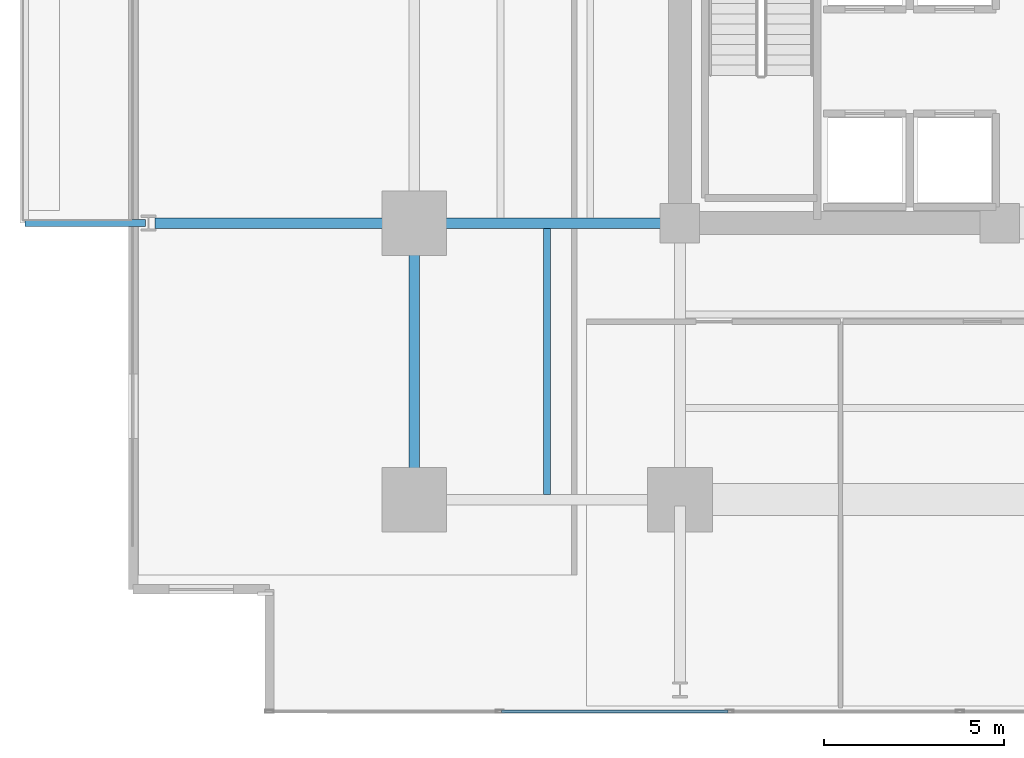
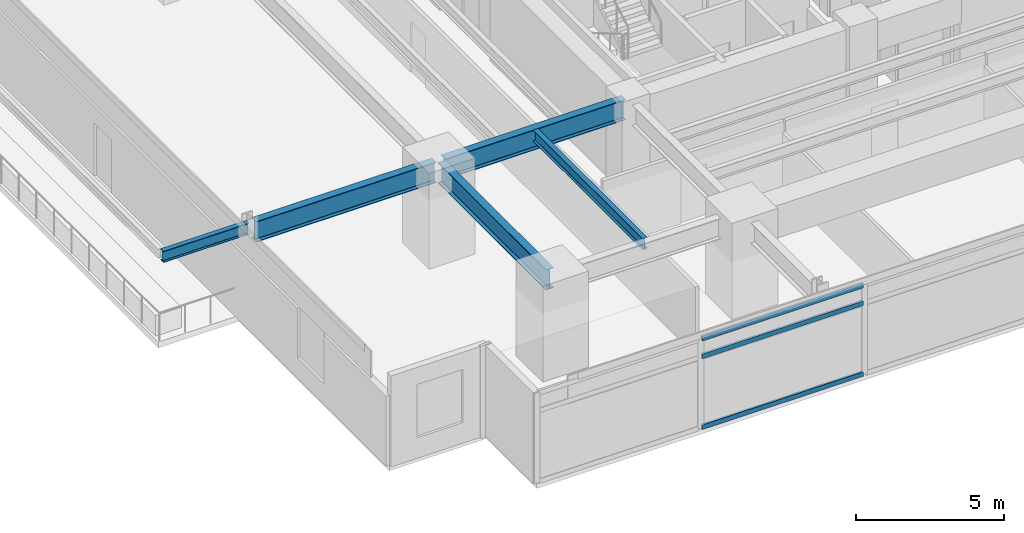
# One storey, part 3 of 22: 5 beams, 3 members, 1 element without a shape of its own.
"""IFC4 building model written with IfcOpenShell, lengths in metres."""

from ifc_helpers import new_model, si_unit, direction, frame, origin, origin_2d, place, context, subcontext, project, spatial, hollow_rectangle, i_section, extrude, material, material_profile, profile_set, type_object, element, aggregate, save


model = new_model("IFC4")

# Units and contexts
model_context = context("Model", 3, precision=1e-05, world=origin(), true_north=direction((0.0, 1.0)))
body_context = subcontext(model_context, "Body", "Model", "MODEL_VIEW")
ifc_project = project(units=[si_unit("LENGTHUNIT", "METRE"), si_unit("AREAUNIT", "SQUARE_METRE"), si_unit("VOLUMEUNIT", "CUBIC_METRE"), si_unit("PLANEANGLEUNIT", "RADIAN"), si_unit("MASSUNIT", "GRAM", prefix="KILO")], contexts=[model_context])

# Site, building, storey
site_placement = place(None, origin())
site = spatial("IfcSite", under=ifc_project, at=site_placement, CompositionType="ELEMENT")
building_placement = place(site_placement, origin())
building = spatial("IfcBuilding", under=site, at=building_placement, Name="Kovane Verandah Tower", CompositionType="ELEMENT")
storey_placement = place(building_placement, frame((0.0, 0.0, 79.60009765625)))
storey = spatial("IfcBuildingStorey", under=building, at=storey_placement, Name="L18", CompositionType="ELEMENT", Elevation=79.60009765625)

# Beams
ifc_material_1 = material(Name="Steel S355", Category="steel")
ifc_material_profile_1 = material_profile(ifc_material_1, i_section(OverallWidth=0.293701171875, OverallDepth=0.850830078125, WebThickness=0.01611328125, FlangeThickness=0.02685546875, FilletRadius=0.017822265625, at=origin_2d()), Name="UB838x292x226")
ifc_profile_set_1 = profile_set([ifc_material_profile_1], Name="Steel S355")
beam_type_1 = type_object("IfcBeamType", Name="BM-UB838x226", PredefinedType="BEAM", material=ifc_profile_set_1)
beam_1_placement = place(storey_placement, frame((21.60009765625, 10.97998046875, 3.33447265625), z_axis=(0.0, 1.0, 0.0), x_axis=(-1.0, 0.0, 0.0)))
element("IfcBeam", 1, at=beam_1_placement, inside=storey, type_object=beam_type_1, Name="L18 Primary Tower Girder G-RW1", PredefinedType="BEAM", context=body_context, shape_type="SweptSolid", body=[
    extrude(i_section(OverallWidth=0.293701171875, OverallDepth=0.850830078125, WebThickness=0.01611328125, FlangeThickness=0.02685546875, FilletRadius=0.017822265625, at=origin_2d()), origin(), (0.0, 0.0, 1.0), 7.340087890625),
])
for number, where, z_axis, x_axis, name in (
    (2, (28.820068359375, 18.5, 3.33447265625), (-1.0, 0.0, 0.0), (0.0, -1.0, 0.0), "L18 Primary Tower Girder G-W1"),
    (3, (21.419921875, 18.5, 3.33447265625), (-1.0, 0.0, 0.0), (0.0, -1.0, 0.0), "L18 Primary Tower Girder G-VW1"),
):
    element("IfcBeam", number, at=place(storey_placement, frame(where, z_axis=z_axis, x_axis=x_axis)), inside=storey, type_object=beam_type_1, Name=name, PredefinedType="BEAM", context=body_context, shape_type="SweptSolid", body=[
        extrude(i_section(OverallWidth=0.293701171875, OverallDepth=0.850830078125, WebThickness=0.01611328125, FlangeThickness=0.02685546875, FilletRadius=0.017822265625, at=origin_2d()), origin(), (0.0, 0.0, 1.0), 7.0400390625),
    ])

# Curtain wall, members
ifc_material_2 = material(Name="Champagne Anodised Aluminium Frame with Low-E Clear Laminated Glass", Category="aluminium")
curtain_wall_type = type_object("IfcCurtainWallType", Name="CW-SYS-02-LOW", PredefinedType="NOTDEFINED", material=ifc_material_2)
curtain_wall_placement = place(storey_placement, origin())
curtain_wall = element("IfcCurtainWall", 4, at=curtain_wall_placement, inside=storey, type_object=curtain_wall_type, Name="L18 S Unitised Curtain Wall", PredefinedType="NOTDEFINED")
ifc_material_3 = material(Name="Champagne Anodised Aluminium 6063-T6", Category="aluminium")
ifc_material_profile_2 = material_profile(ifc_material_3, hollow_rectangle(XDim=0.0849609375, YDim=0.18994140625, WallThickness=0.00390625, at=origin_2d()), Name="AL85x190x4")
ifc_profile_set_2 = profile_set([ifc_material_profile_2], Name="Champagne Anodised Aluminium 6063-T6")
member_type = type_object("IfcMemberType", Name="CW-TRN-85x190", PredefinedType="USERDEFINED", material=ifc_profile_set_2)
member_1_placement = place(storey_placement, frame((24.029541015625, 4.89990234375, 0.0498046875), z_axis=(1.0, 0.0, 0.0), x_axis=(0.0, 1.0, 0.0)))
member_1 = element("IfcMember", 5, at=member_1_placement, type_object=member_type, Name="L18 S Unitised Curtain Wall Transom TB Bay 2", ObjectType="TRANSOM", PredefinedType="USERDEFINED", context=body_context, shape_type="SweptSolid", body=[
    extrude(hollow_rectangle(XDim=0.0849609375, YDim=0.18994140625, WallThickness=0.00390625, at=origin_2d()), origin(), (0.0, 0.0, 1.0), 6.30810546875),
])
member_2_placement = place(storey_placement, frame((24.029541015625, 4.89990234375, 2.97998046875), z_axis=(1.0, 0.0, 0.0), x_axis=(0.0, 1.0, 0.0)))
member_2 = element("IfcMember", 6, at=member_2_placement, type_object=member_type, Name="L18 S Unitised Curtain Wall Transom TM Bay 2", ObjectType="TRANSOM", PredefinedType="USERDEFINED", context=body_context, shape_type="SweptSolid", body=[
    extrude(hollow_rectangle(XDim=0.0849609375, YDim=0.18994140625, WallThickness=0.00390625, at=origin_2d()), origin(), (0.0, 0.0, 1.0), 6.30810546875),
])
member_3_placement = place(storey_placement, frame((24.029541015625, 4.89990234375, 3.7099609375), z_axis=(1.0, 0.0, 0.0), x_axis=(0.0, 1.0, 0.0)))
member_3 = element("IfcMember", 7, at=member_3_placement, type_object=member_type, Name="L18 S Unitised Curtain Wall Transom TT Bay 2", ObjectType="TRANSOM", PredefinedType="USERDEFINED", context=body_context, shape_type="SweptSolid", body=[
    extrude(hollow_rectangle(XDim=0.0849609375, YDim=0.18994140625, WallThickness=0.00390625, at=origin_2d()), origin(), (0.0, 0.0, 1.0), 6.30810546875),
])
aggregate(curtain_wall, [member_1, member_2, member_3])

# Beams
ifc_material_profile_3 = material_profile(ifc_material_1, i_section(OverallWidth=0.19287109375, OverallDepth=0.46728515625, WebThickness=0.011474609375, FlangeThickness=0.01953125, FilletRadius=0.01025390625, at=origin_2d()), Name="UB457x191x98")
ifc_profile_set_3 = profile_set([ifc_material_profile_3], Name="Steel S355")
beam_type_2 = type_object("IfcBeamType", Name="JST-UB457x98", PredefinedType="JOIST", material=ifc_profile_set_3)
beam_2_placement = place(storey_placement, frame((25.300048828125, 10.94482421875, 3.5263671875), z_axis=(0.0, 1.0, 0.0), x_axis=(-1.0, 0.0, 0.0)))
element("IfcBeam", 8, at=beam_2_placement, inside=storey, type_object=beam_type_2, Name="L18 Secondary Composite Joist J-SW1", PredefinedType="JOIST", context=body_context, shape_type="SweptSolid", body=[
    extrude(i_section(OverallWidth=0.19287109375, OverallDepth=0.46728515625, WebThickness=0.011474609375, FlangeThickness=0.01953125, FilletRadius=0.01025390625, at=origin_2d()), origin(), (0.0, 0.0, 1.0), 7.41015625),
])
beam_3_placement = place(storey_placement, frame((14.1201171875, 18.5, 3.5263671875), z_axis=(-1.0, 0.0, 0.0), x_axis=(0.0, -1.0, 0.0)))
element("IfcBeam", 9, at=beam_3_placement, inside=storey, type_object=beam_type_2, Name="L18 West Planter Girder 1", PredefinedType="JOIST", context=body_context, shape_type="SweptSolid", body=[
    extrude(i_section(OverallWidth=0.19287109375, OverallDepth=0.46728515625, WebThickness=0.011474609375, FlangeThickness=0.01953125, FilletRadius=0.01025390625, at=origin_2d()), origin(), (0.0, 0.0, 1.0), 3.354736328125),
])

save(model, "model.ifc")
